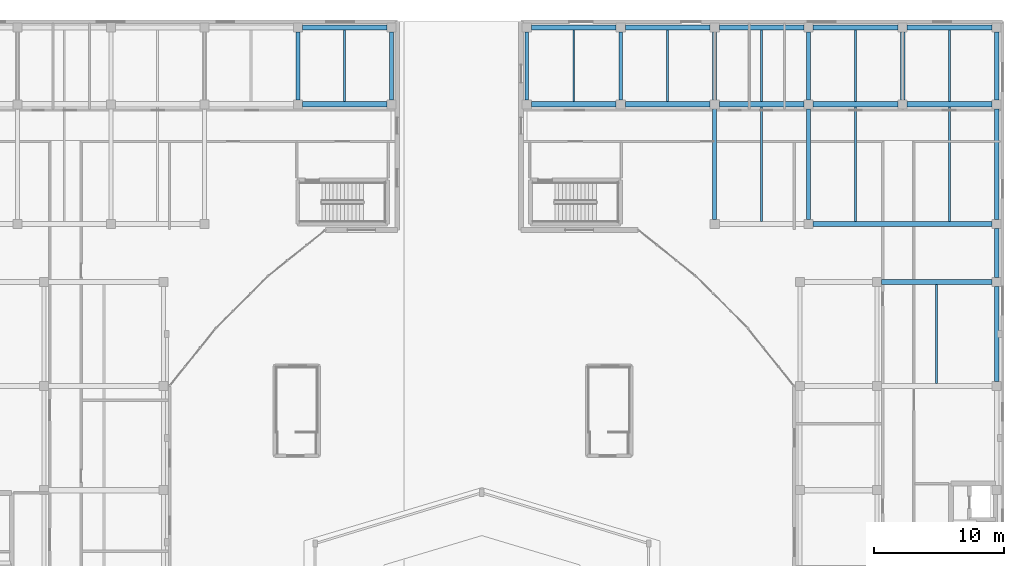
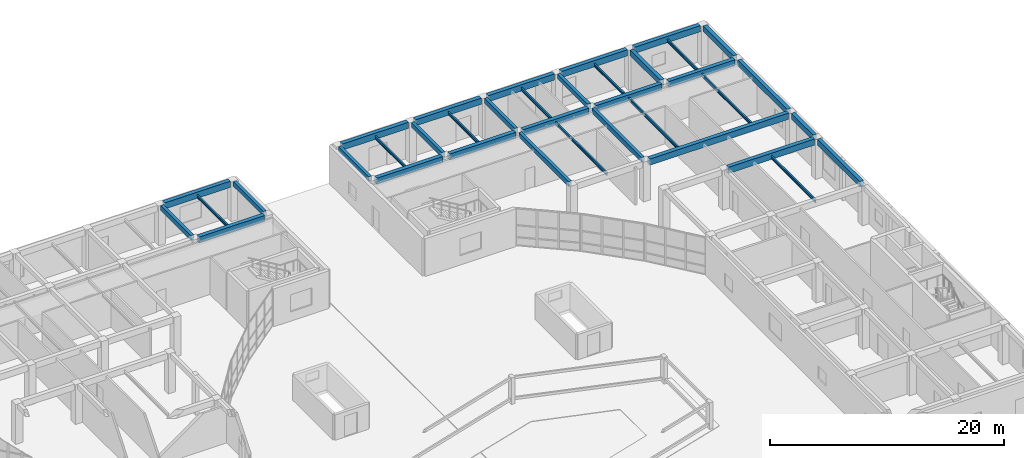
# One storey, part 58 of 114: 37 beams.
"""IFC4 building model written with IfcOpenShell, lengths in metres."""

from ifc_helpers import new_model, si_unit, direction, frame, origin, origin_2d, place, context, subcontext, project, spatial, rectangle, i_section, extrude, material, material_profile, profile_set, type_object, element, save


model = new_model("IFC4")

# Units and contexts
model_context = context("Model", 3, precision=1e-05, world=origin(), true_north=direction((0.0, 1.0)))
body_context = subcontext(model_context, "Body", "Model", "MODEL_VIEW")
ifc_project = project(units=[si_unit("LENGTHUNIT", "METRE"), si_unit("AREAUNIT", "SQUARE_METRE"), si_unit("VOLUMEUNIT", "CUBIC_METRE"), si_unit("PLANEANGLEUNIT", "RADIAN"), si_unit("MASSUNIT", "GRAM", prefix="KILO")], contexts=[model_context])

# Site, building, storey
site_placement = place(None, origin())
site = spatial("IfcSite", under=ifc_project, at=site_placement, CompositionType="ELEMENT")
building_placement = place(site_placement, origin())
building = spatial("IfcBuilding", under=site, at=building_placement, Name="Keldmere Railside Commons", CompositionType="ELEMENT")
storey_placement = place(building_placement, origin())
storey = spatial("IfcBuildingStorey", under=building, at=storey_placement, Name="L00", CompositionType="ELEMENT", Elevation=0.0)

# Beams
ifc_material_1 = material(Name="Steel F-36 (S355)", Category="steel")
ifc_material_profile_1 = material_profile(ifc_material_1, i_section(OverallWidth=0.14990234375, OverallDepth=0.300048828125, WebThickness=0.007080078125, FlangeThickness=0.0107421875, at=origin_2d()), Name="IPE-300")
ifc_profile_set_1 = profile_set([ifc_material_profile_1], Name="Steel F-36 (S355)")
beam_type_1 = type_object("IfcBeamType", Name="Podium & Arcade Steel Joist IPE300", PredefinedType="JOIST", material=ifc_profile_set_1)
beam_1_placement = place(storey_placement, frame((178.949951171875, 88.199951171875, 3.739990234375), z_axis=(0.0, 1.0, 0.0), x_axis=(-1.0, 0.0, 0.0)))
element("IfcBeam", 1, at=beam_1_placement, inside=storey, type_object=beam_type_1, Name="JST-1 BM-L00-0711", PredefinedType="JOIST", context=body_context, shape_type="SweptSolid", body=[
    extrude(i_section(OverallWidth=0.14990234375, OverallDepth=0.300048828125, WebThickness=0.007080078125, FlangeThickness=0.0107421875, at=origin_2d()), origin(), (0.0, 0.0, 1.0), 7.60009765625),
])
for number, where, z_axis, x_axis, name in (
    (2, (165.5, 100.64990234375, 3.739990234375), (0.0, 1.0, 0.0), (-1.0, 0.0, 0.0), "JST-1 BM-L00-0722"),
    (3, (172.719970703125, 100.64990234375, 3.739990234375), (0.0, 1.0, 0.0), (-1.0, 0.0, 0.0), "JST-1 BM-L00-0723"),
    (4, (179.93994140625, 100.64990234375, 3.739990234375), (0.0, 1.0, 0.0), (-1.0, 0.0, 0.0), "JST-1 BM-L00-0724"),
):
    element("IfcBeam", number, at=place(storey_placement, frame(where, z_axis=z_axis, x_axis=x_axis)), inside=storey, type_object=beam_type_1, Name=name, PredefinedType="JOIST", context=body_context, shape_type="SweptSolid", body=[
        extrude(i_section(OverallWidth=0.14990234375, OverallDepth=0.300048828125, WebThickness=0.007080078125, FlangeThickness=0.0107421875, at=origin_2d()), origin(), (0.0, 0.0, 1.0), 8.800048828125),
    ])
for number, where, z_axis, x_axis, name in (
    (5, (133.458984375, 109.85009765625, 3.739990234375), (0.0, 1.0, 0.0), (-1.0, 0.0, 0.0), "JST-1 BM-L00-0738"),
    (6, (151.06005859375, 109.85009765625, 3.739990234375), (0.0, 1.0, 0.0), (-1.0, 0.0, 0.0), "JST-1 BM-L00-0739"),
    (7, (158.280029296875, 109.85009765625, 3.739990234375), (0.0, 1.0, 0.0), (-1.0, 0.0, 0.0), "JST-1 BM-L00-0740"),
    (8, (165.5, 109.85009765625, 3.739990234375), (0.0, 1.0, 0.0), (-1.0, 0.0, 0.0), "JST-1 BM-L00-0741"),
    (9, (172.719970703125, 109.85009765625, 3.739990234375), (0.0, 1.0, 0.0), (-1.0, 0.0, 0.0), "JST-1 BM-L00-0742"),
    (10, (179.93994140625, 109.85009765625, 3.739990234375), (0.0, 1.0, 0.0), (-1.0, 0.0, 0.0), "JST-1 BM-L00-0743"),
):
    element("IfcBeam", number, at=place(storey_placement, frame(where, z_axis=z_axis, x_axis=x_axis)), inside=storey, type_object=beam_type_1, Name=name, PredefinedType="JOIST", context=body_context, shape_type="SweptSolid", body=[
        extrude(i_section(OverallWidth=0.14990234375, OverallDepth=0.300048828125, WebThickness=0.007080078125, FlangeThickness=0.0107421875, at=origin_2d()), origin(), (0.0, 0.0, 1.0), 5.5),
    ])
ifc_material_2 = material(Name="Concrete H-30 (C30/37)", Category="concrete")
ifc_material_profile_2 = material_profile(ifc_material_2, rectangle(XDim=0.35009765625, YDim=0.60009765625, at=origin_2d()), Name="RC-350x600")
ifc_profile_set_2 = profile_set([ifc_material_profile_2], Name="Concrete H-30 (C30/37)")
beam_type_2 = type_object("IfcBeamType", Name="Residential Chord RC Beam 350x600", PredefinedType="BEAM", material=ifc_profile_set_2)
beam_2_placement = place(storey_placement, frame((176.330078125, 110.0, 3.860107421875), z_axis=(0.0, 1.0, 0.0), x_axis=(-1.0, 0.0, 0.0)))
element("IfcBeam", 11, at=beam_2_placement, inside=storey, type_object=beam_type_2, Name="BG-4 BM-L00-0668", PredefinedType="BEAM", context=body_context, shape_type="SweptSolid", body=[
    extrude(rectangle(XDim=0.35009765625, YDim=0.60009765625, at=origin_2d()), origin(), (0.0, 0.0, 1.0), 5.199951171875),
])
beam_3_placement = place(storey_placement, frame((183.550048828125, 88.35009765625, 3.860107421875), z_axis=(0.0, 1.0, 0.0), x_axis=(-1.0, 0.0, 0.0)))
element("IfcBeam", 12, at=beam_3_placement, inside=storey, type_object=beam_type_2, Name="BG-4 BM-L00-0671", PredefinedType="BEAM", context=body_context, shape_type="SweptSolid", body=[
    extrude(rectangle(XDim=0.35009765625, YDim=0.60009765625, at=origin_2d()), origin(), (0.0, 0.0, 1.0), 7.2998046875),
])
beam_4_placement = place(storey_placement, frame((183.550048828125, 96.35009765625, 3.860107421875), z_axis=(0.0, 1.0, 0.0), x_axis=(-1.0, 0.0, 0.0)))
element("IfcBeam", 13, at=beam_4_placement, inside=storey, type_object=beam_type_2, Name="BG-4 BM-L00-0672", PredefinedType="BEAM", context=body_context, shape_type="SweptSolid", body=[
    extrude(rectangle(XDim=0.35009765625, YDim=0.60009765625, at=origin_2d()), origin(), (0.0, 0.0, 1.0), 3.75),
])
beam_5_placement = place(storey_placement, frame((183.550048828125, 100.800048828125, 3.860107421875), z_axis=(0.0, 1.0, 0.0), x_axis=(-1.0, 0.0, 0.0)))
element("IfcBeam", 14, at=beam_5_placement, inside=storey, type_object=beam_type_2, Name="BG-4 BM-L00-0673", PredefinedType="BEAM", context=body_context, shape_type="SweptSolid", body=[
    extrude(rectangle(XDim=0.35009765625, YDim=0.60009765625, at=origin_2d()), origin(), (0.0, 0.0, 1.0), 8.5),
])
beam_6_placement = place(storey_placement, frame((183.550048828125, 110.0, 3.860107421875), z_axis=(0.0, 1.0, 0.0), x_axis=(-1.0, 0.0, 0.0)))
element("IfcBeam", 15, at=beam_6_placement, inside=storey, type_object=beam_type_2, Name="BG-4 BM-L00-0674", PredefinedType="BEAM", context=body_context, shape_type="SweptSolid", body=[
    extrude(rectangle(XDim=0.35009765625, YDim=0.60009765625, at=origin_2d()), origin(), (0.0, 0.0, 1.0), 5.199951171875),
])
ifc_material_profile_3 = material_profile(ifc_material_2, rectangle(XDim=0.39990234375, YDim=0.64990234375, at=origin_2d()), Name="RC-400x650")
ifc_profile_set_3 = profile_set([ifc_material_profile_3], Name="Concrete H-30 (C30/37)")
beam_type_3 = type_object("IfcBeamType", Name="Residential Spine RC Girder 400x650", PredefinedType="BEAM", material=ifc_profile_set_3)
beam_7_placement = place(storey_placement, frame((174.699951171875, 96.0, 3.8349609375), z_axis=(1.0, 0.0, 0.0), x_axis=(0.0, 1.0, 0.0)))
element("IfcBeam", 16, at=beam_7_placement, inside=storey, type_object=beam_type_3, Name="BG-3 BM-L00-0498", PredefinedType="BEAM", context=body_context, shape_type="SweptSolid", body=[
    extrude(rectangle(XDim=0.39990234375, YDim=0.64990234375, at=origin_2d()), origin(), (0.0, 0.0, 1.0), 8.5),
])
beam_8_placement = place(storey_placement, frame((169.4599609375, 100.449951171875, 3.8349609375), z_axis=(1.0, 0.0, 0.0), x_axis=(0.0, 1.0, 0.0)))
element("IfcBeam", 17, at=beam_8_placement, inside=storey, type_object=beam_type_3, Name="BG-3 BM-L00-0508", PredefinedType="BEAM", context=body_context, shape_type="SweptSolid", body=[
    extrude(rectangle(XDim=0.39990234375, YDim=0.64990234375, at=origin_2d()), origin(), (0.0, 0.0, 1.0), 13.739990234375),
])
beam_9_placement = place(storey_placement, frame((130.217041015625, 109.64990234375, 3.8349609375), z_axis=(1.0, 0.0, 0.0), x_axis=(0.0, 1.0, 0.0)))
element("IfcBeam", 18, at=beam_9_placement, inside=storey, type_object=beam_type_3, Name="BG-3 BM-L00-0522", PredefinedType="BEAM", context=body_context, shape_type="SweptSolid", body=[
    extrude(rectangle(XDim=0.39990234375, YDim=0.64990234375, at=origin_2d()), origin(), (0.0, 0.0, 1.0), 6.48291015625),
])
for number, where, z_axis, x_axis, name in (
    (19, (147.800048828125, 109.64990234375, 3.8349609375), (1.0, 0.0, 0.0), (0.0, 1.0, 0.0), "BG-3 BM-L00-0523"),
    (20, (155.02001953125, 109.64990234375, 3.8349609375), (1.0, 0.0, 0.0), (0.0, 1.0, 0.0), "BG-3 BM-L00-0524"),
    (21, (162.239990234375, 109.64990234375, 3.8349609375), (1.0, 0.0, 0.0), (0.0, 1.0, 0.0), "BG-3 BM-L00-0525"),
    (22, (169.4599609375, 109.64990234375, 3.8349609375), (1.0, 0.0, 0.0), (0.0, 1.0, 0.0), "BG-3 BM-L00-0526"),
    (23, (176.679931640625, 109.64990234375, 3.8349609375), (1.0, 0.0, 0.0), (0.0, 1.0, 0.0), "BG-3 BM-L00-0527"),
):
    element("IfcBeam", number, at=place(storey_placement, frame(where, z_axis=z_axis, x_axis=x_axis)), inside=storey, type_object=beam_type_3, Name=name, PredefinedType="BEAM", context=body_context, shape_type="SweptSolid", body=[
        extrude(rectangle(XDim=0.39990234375, YDim=0.64990234375, at=origin_2d()), origin(), (0.0, 0.0, 1.0), 6.52001953125),
    ])
beam_10_placement = place(storey_placement, frame((130.217041015625, 115.550048828125, 3.8349609375), z_axis=(1.0, 0.0, 0.0), x_axis=(0.0, 1.0, 0.0)))
element("IfcBeam", 24, at=beam_10_placement, inside=storey, type_object=beam_type_3, Name="BG-3 BM-L00-0541", PredefinedType="BEAM", context=body_context, shape_type="SweptSolid", body=[
    extrude(rectangle(XDim=0.39990234375, YDim=0.64990234375, at=origin_2d()), origin(), (0.0, 0.0, 1.0), 6.48291015625),
])
for number, where, z_axis, x_axis, name in (
    (25, (147.800048828125, 115.550048828125, 3.8349609375), (1.0, 0.0, 0.0), (0.0, 1.0, 0.0), "BG-3 BM-L00-0542"),
    (26, (155.02001953125, 115.550048828125, 3.8349609375), (1.0, 0.0, 0.0), (0.0, 1.0, 0.0), "BG-3 BM-L00-0543"),
    (27, (162.239990234375, 115.550048828125, 3.8349609375), (1.0, 0.0, 0.0), (0.0, 1.0, 0.0), "BG-3 BM-L00-0544"),
    (28, (169.4599609375, 115.550048828125, 3.8349609375), (1.0, 0.0, 0.0), (0.0, 1.0, 0.0), "BG-3 BM-L00-0545"),
    (29, (176.679931640625, 115.550048828125, 3.8349609375), (1.0, 0.0, 0.0), (0.0, 1.0, 0.0), "BG-3 BM-L00-0546"),
):
    element("IfcBeam", number, at=place(storey_placement, frame(where, z_axis=z_axis, x_axis=x_axis)), inside=storey, type_object=beam_type_3, Name=name, PredefinedType="BEAM", context=body_context, shape_type="SweptSolid", body=[
        extrude(rectangle(XDim=0.39990234375, YDim=0.64990234375, at=origin_2d()), origin(), (0.0, 0.0, 1.0), 6.52001953125),
    ])
ifc_material_profile_4 = material_profile(ifc_material_2, rectangle(XDim=0.300048828125, YDim=0.5, at=origin_2d()), Name="RC-300x500")
ifc_profile_set_4 = profile_set([ifc_material_profile_4], Name="Concrete H-30 (C30/37)")
beam_type_4 = type_object("IfcBeamType", Name="Secondary Frame RC Beam 300x500", PredefinedType="BEAM", material=ifc_profile_set_4)
for number, where, z_axis, x_axis, name in (
    (30, (129.866943359375, 110.0, 3.909912109375), (0.0, 1.0, 0.0), (-1.0, 0.0, 0.0), "BG-5 BM-L00-0635"),
    (31, (137.050048828125, 110.0, 3.909912109375), (0.0, 1.0, 0.0), (-1.0, 0.0, 0.0), "BG-5 BM-L00-0639"),
    (32, (147.449951171875, 110.0, 3.909912109375), (0.0, 1.0, 0.0), (-1.0, 0.0, 0.0), "BG-5 BM-L00-0640"),
    (33, (154.669921875, 110.0, 3.909912109375), (0.0, 1.0, 0.0), (-1.0, 0.0, 0.0), "BG-5 BM-L00-0644"),
):
    element("IfcBeam", number, at=place(storey_placement, frame(where, z_axis=z_axis, x_axis=x_axis)), inside=storey, type_object=beam_type_4, Name=name, PredefinedType="BEAM", context=body_context, shape_type="SweptSolid", body=[
        extrude(rectangle(XDim=0.300048828125, YDim=0.5, at=origin_2d()), origin(), (0.0, 0.0, 1.0), 5.199951171875),
    ])
beam_11_placement = place(storey_placement, frame((161.889892578125, 100.800048828125, 3.909912109375), z_axis=(0.0, 1.0, 0.0), x_axis=(-1.0, 0.0, 0.0)))
element("IfcBeam", 34, at=beam_11_placement, inside=storey, type_object=beam_type_4, Name="BG-5 BM-L00-0648", PredefinedType="BEAM", context=body_context, shape_type="SweptSolid", body=[
    extrude(rectangle(XDim=0.300048828125, YDim=0.5, at=origin_2d()), origin(), (0.0, 0.0, 1.0), 8.5),
])
beam_12_placement = place(storey_placement, frame((161.889892578125, 110.0, 3.909912109375), z_axis=(0.0, 1.0, 0.0), x_axis=(-1.0, 0.0, 0.0)))
element("IfcBeam", 35, at=beam_12_placement, inside=storey, type_object=beam_type_4, Name="BG-5 BM-L00-0649", PredefinedType="BEAM", context=body_context, shape_type="SweptSolid", body=[
    extrude(rectangle(XDim=0.300048828125, YDim=0.5, at=origin_2d()), origin(), (0.0, 0.0, 1.0), 5.199951171875),
])
beam_13_placement = place(storey_placement, frame((169.110107421875, 100.800048828125, 3.909912109375), z_axis=(0.0, 1.0, 0.0), x_axis=(-1.0, 0.0, 0.0)))
element("IfcBeam", 36, at=beam_13_placement, inside=storey, type_object=beam_type_4, Name="BG-5 BM-L00-0658", PredefinedType="BEAM", context=body_context, shape_type="SweptSolid", body=[
    extrude(rectangle(XDim=0.300048828125, YDim=0.5, at=origin_2d()), origin(), (0.0, 0.0, 1.0), 8.5),
])
beam_14_placement = place(storey_placement, frame((169.110107421875, 110.0, 3.909912109375), z_axis=(0.0, 1.0, 0.0), x_axis=(-1.0, 0.0, 0.0)))
element("IfcBeam", 37, at=beam_14_placement, inside=storey, type_object=beam_type_4, Name="BG-5 BM-L00-0659", PredefinedType="BEAM", context=body_context, shape_type="SweptSolid", body=[
    extrude(rectangle(XDim=0.300048828125, YDim=0.5, at=origin_2d()), origin(), (0.0, 0.0, 1.0), 5.199951171875),
])

save(model, "model.ifc")
